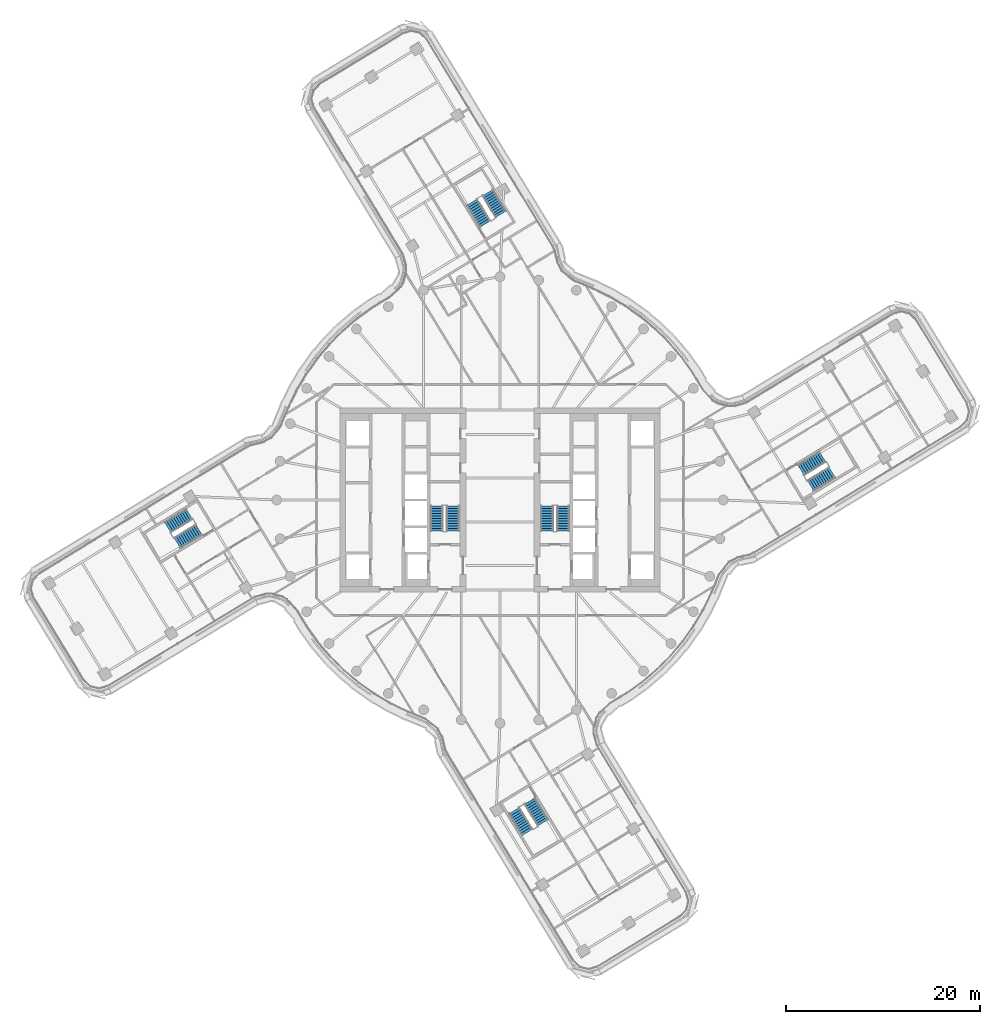
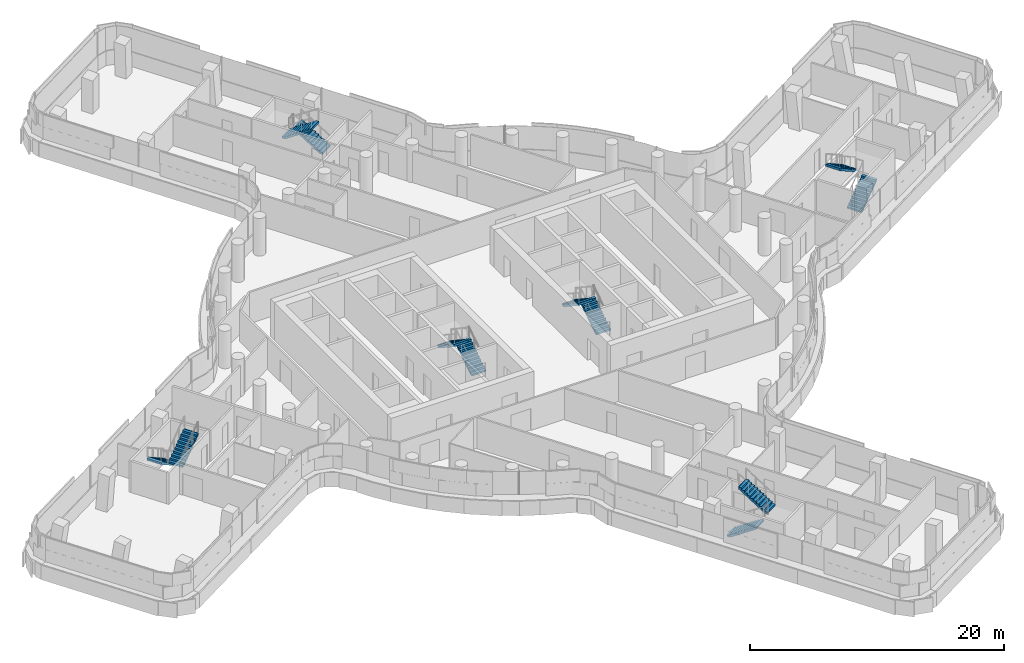
# One storey, part 26 of 35: 12 stair flights, 6 elements without a shape of their own.
"""IFC4 building model written with IfcOpenShell, lengths in metres."""

from ifc_helpers import new_model, si_unit, direction, frame, origin, place, context, subcontext, project, spatial, polyline, outline, extrude, material, type_object, element, aggregate, save


model = new_model("IFC4")

# Units and contexts
model_context = context("Model", 3, precision=1e-05, world=origin(), true_north=direction((0.0, 1.0)))
body_context = subcontext(model_context, "Body", "Model", "MODEL_VIEW")
ifc_project = project(units=[si_unit("LENGTHUNIT", "METRE"), si_unit("AREAUNIT", "SQUARE_METRE"), si_unit("VOLUMEUNIT", "CUBIC_METRE"), si_unit("PLANEANGLEUNIT", "RADIAN"), si_unit("MASSUNIT", "GRAM", prefix="KILO")], contexts=[model_context])

# Site, building, storey
site_placement = place(None, origin())
site = spatial("IfcSite", under=ifc_project, at=site_placement, CompositionType="ELEMENT")
building_placement = place(site_placement, origin())
building = spatial("IfcBuilding", under=site, at=building_placement, Name="Tamarind Cross Interchange Tower", CompositionType="ELEMENT")
storey_placement = place(building_placement, frame((0.0, 0.0, 148.0)))
storey = spatial("IfcBuildingStorey", under=building, at=storey_placement, Name="L36", CompositionType="ELEMENT", Elevation=148.0)

# Stair, stair flights
ifc_material_1 = material(Name="Exit stair")
stair_type = type_object("IfcStairType", Name="Exit stair", PredefinedType="HALF_TURN_STAIR", material=ifc_material_1)
stair_1_placement = place(storey_placement, origin())
stair_1 = element("IfcStair", 1, at=stair_1_placement, inside=storey, type_object=stair_type, Name="L36 exit stair ST1", PredefinedType="HALF_TURN_STAIR")
ifc_material_2 = material(Name="Exit stair flight")
stair_flight_type = type_object("IfcStairFlightType", Name="Exit stair flight", PredefinedType="STRAIGHT", material=ifc_material_2)
stair_flight_1_placement = place(storey_placement, frame((-4.85009765625, -3.199951171875, 0.0), z_axis=(0.0, 0.0, 1.0), x_axis=(0.0, 1.0, 0.0)))
stair_flight_1 = element("IfcStairFlight", 2, at=stair_flight_1_placement, type_object=stair_flight_type, Name="ST1 flight 1", NumberOfRisers=11, NumberOfTreads=10, PredefinedType="STRAIGHT", RiserHeight=0.170454545, TreadLength=0.26, context=body_context, shape_type="SweptSolid", body=[
    extrude(outline(polyline([(0.0, 0.0), (0.0, 0.17041015625), (0.260009765625, 0.17041015625), (0.260009765625, 0.3408203125), (0.52001953125, 0.3408203125), (0.52001953125, 0.511474609375), (0.780029296875, 0.511474609375), (0.780029296875, 0.681884765625), (1.0400390625, 0.681884765625), (1.0400390625, 0.852294921875), (1.300048828125, 0.852294921875), (1.300048828125, 1.022705078125), (1.56005859375, 1.022705078125), (1.56005859375, 1.193115234375), (1.820068359375, 1.193115234375), (1.820068359375, 1.363525390625), (2.080078125, 1.363525390625), (2.080078125, 1.5341796875), (2.340087890625, 1.5341796875), (2.340087890625, 1.70458984375), (2.60009765625, 1.70458984375), (2.60009765625, 1.875), (2.60009765625, 1.525390625), (0.2734375, 0.0), (0.0, 0.0)])), frame((0.0, 0.64990234375, 0.0), z_axis=(0.0, -1.0, 0.0), x_axis=(1.0, 0.0, 0.0)), (0.0, 0.0, 1.0), 1.300048828125),
])
stair_flight_2_placement = place(storey_placement, frame((-6.5, -0.60009765625, 1.875), z_axis=(0.0, 0.0, 1.0), x_axis=(0.0, -1.0, 0.0)))
stair_flight_2 = element("IfcStairFlight", 3, at=stair_flight_2_placement, type_object=stair_flight_type, Name="ST1 flight 2", NumberOfRisers=11, NumberOfTreads=10, PredefinedType="STRAIGHT", RiserHeight=0.170454545, TreadLength=0.26, context=body_context, shape_type="SweptSolid", body=[
    extrude(outline(polyline([(0.0, 0.0), (0.0, 0.17041015625), (0.260009765625, 0.17041015625), (0.260009765625, 0.3408203125), (0.52001953125, 0.3408203125), (0.52001953125, 0.511474609375), (0.780029296875, 0.511474609375), (0.780029296875, 0.681884765625), (1.0400390625, 0.681884765625), (1.0400390625, 0.852294921875), (1.300048828125, 0.852294921875), (1.300048828125, 1.022705078125), (1.56005859375, 1.022705078125), (1.56005859375, 1.193115234375), (1.820068359375, 1.193115234375), (1.820068359375, 1.363525390625), (2.080078125, 1.363525390625), (2.080078125, 1.5341796875), (2.340087890625, 1.5341796875), (2.340087890625, 1.70458984375), (2.60009765625, 1.70458984375), (2.60009765625, 1.7548828125), (2.612060546875, 1.7548828125), (2.612060546875, 1.533203125), (0.2734375, 0.0), (0.0, 0.0)])), frame((0.0, 0.64990234375, 0.0), z_axis=(0.0, -1.0, 0.0), x_axis=(1.0, 0.0, 0.0)), (0.0, 0.0, 1.0), 1.300048828125),
])
aggregate(stair_1, [stair_flight_1, stair_flight_2])

stair_2_placement = place(storey_placement, origin())
stair_2 = element("IfcStair", 4, at=stair_2_placement, inside=storey, type_object=stair_type, Name="L36 exit stair ST2", PredefinedType="HALF_TURN_STAIR")
stair_flight_3_placement = place(storey_placement, frame((6.5, -3.199951171875, 0.0), z_axis=(0.0, 0.0, 1.0), x_axis=(0.0, 1.0, 0.0)))
stair_flight_3 = element("IfcStairFlight", 5, at=stair_flight_3_placement, type_object=stair_flight_type, Name="ST2 flight 1", NumberOfRisers=11, NumberOfTreads=10, PredefinedType="STRAIGHT", RiserHeight=0.170454545, TreadLength=0.26, context=body_context, shape_type="SweptSolid", body=[
    extrude(outline(polyline([(0.0, 0.0), (0.0, 0.17041015625), (0.260009765625, 0.17041015625), (0.260009765625, 0.3408203125), (0.52001953125, 0.3408203125), (0.52001953125, 0.511474609375), (0.780029296875, 0.511474609375), (0.780029296875, 0.681884765625), (1.0400390625, 0.681884765625), (1.0400390625, 0.852294921875), (1.300048828125, 0.852294921875), (1.300048828125, 1.022705078125), (1.56005859375, 1.022705078125), (1.56005859375, 1.193115234375), (1.820068359375, 1.193115234375), (1.820068359375, 1.363525390625), (2.080078125, 1.363525390625), (2.080078125, 1.5341796875), (2.340087890625, 1.5341796875), (2.340087890625, 1.70458984375), (2.60009765625, 1.70458984375), (2.60009765625, 1.875), (2.60009765625, 1.525390625), (0.2734375, 0.0), (0.0, 0.0)])), frame((0.0, 0.64990234375, 0.0), z_axis=(0.0, -1.0, 0.0), x_axis=(1.0, 0.0, 0.0)), (0.0, 0.0, 1.0), 1.300048828125),
])
stair_flight_4_placement = place(storey_placement, frame((4.85009765625, -0.60009765625, 1.875), z_axis=(0.0, 0.0, 1.0), x_axis=(0.0, -1.0, 0.0)))
stair_flight_4 = element("IfcStairFlight", 6, at=stair_flight_4_placement, type_object=stair_flight_type, Name="ST2 flight 2", NumberOfRisers=11, NumberOfTreads=10, PredefinedType="STRAIGHT", RiserHeight=0.170454545, TreadLength=0.26, context=body_context, shape_type="SweptSolid", body=[
    extrude(outline(polyline([(0.0, 0.0), (0.0, 0.17041015625), (0.260009765625, 0.17041015625), (0.260009765625, 0.3408203125), (0.52001953125, 0.3408203125), (0.52001953125, 0.511474609375), (0.780029296875, 0.511474609375), (0.780029296875, 0.681884765625), (1.0400390625, 0.681884765625), (1.0400390625, 0.852294921875), (1.300048828125, 0.852294921875), (1.300048828125, 1.022705078125), (1.56005859375, 1.022705078125), (1.56005859375, 1.193115234375), (1.820068359375, 1.193115234375), (1.820068359375, 1.363525390625), (2.080078125, 1.363525390625), (2.080078125, 1.5341796875), (2.340087890625, 1.5341796875), (2.340087890625, 1.70458984375), (2.60009765625, 1.70458984375), (2.60009765625, 1.7548828125), (2.612060546875, 1.7548828125), (2.612060546875, 1.533203125), (0.2734375, 0.0), (0.0, 0.0)])), frame((0.0, 0.64990234375, 0.0), z_axis=(0.0, -1.0, 0.0), x_axis=(1.0, 0.0, 0.0)), (0.0, 0.0, 1.0), 1.300048828125),
])
aggregate(stair_2, [stair_flight_3, stair_flight_4])

stair_3_placement = place(storey_placement, origin())
stair_3 = element("IfcStair", 7, at=stair_3_placement, inside=storey, type_object=stair_type, Name="L36 exit stair ST3", PredefinedType="HALF_TURN_STAIR")
stair_flight_5_placement = place(storey_placement, frame((31.99755859375, 1.464111328125, 0.0), z_axis=(0.0, 0.0, 1.0), x_axis=(0.854059616181, 0.520175135901, 0.0)))
stair_flight_5 = element("IfcStairFlight", 8, at=stair_flight_5_placement, type_object=stair_flight_type, Name="ST3 flight 1", NumberOfRisers=11, NumberOfTreads=10, PredefinedType="STRAIGHT", RiserHeight=0.170454545, TreadLength=0.26, context=body_context, shape_type="SweptSolid", body=[
    extrude(outline(polyline([(0.0, 0.0), (0.0, 0.17041015625), (0.260009765625, 0.17041015625), (0.260009765625, 0.3408203125), (0.52001953125, 0.3408203125), (0.52001953125, 0.511474609375), (0.780029296875, 0.511474609375), (0.780029296875, 0.681884765625), (1.0400390625, 0.681884765625), (1.0400390625, 0.852294921875), (1.300048828125, 0.852294921875), (1.300048828125, 1.022705078125), (1.56005859375, 1.022705078125), (1.56005859375, 1.193115234375), (1.820068359375, 1.193115234375), (1.820068359375, 1.363525390625), (2.080078125, 1.363525390625), (2.080078125, 1.5341796875), (2.340087890625, 1.5341796875), (2.340087890625, 1.70458984375), (2.60009765625, 1.70458984375), (2.60009765625, 1.875), (2.60009765625, 1.525390625), (0.2734375, 0.0), (0.0, 0.0)])), frame((0.0, 0.64990234375, 0.0), z_axis=(0.0, -1.0, 0.0), x_axis=(1.0, 0.0, 0.0)), (0.0, 0.0, 1.0), 1.300048828125),
])
stair_flight_6_placement = place(storey_placement, frame((33.229736328125, 4.439208984375, 1.875), z_axis=(0.0, 0.0, 1.0), x_axis=(-0.854059616181, -0.520175135901, 0.0)))
stair_flight_6 = element("IfcStairFlight", 9, at=stair_flight_6_placement, type_object=stair_flight_type, Name="ST3 flight 2", NumberOfRisers=11, NumberOfTreads=10, PredefinedType="STRAIGHT", RiserHeight=0.170454545, TreadLength=0.26, context=body_context, shape_type="SweptSolid", body=[
    extrude(outline(polyline([(0.0, 0.0), (0.0, 0.17041015625), (0.260009765625, 0.17041015625), (0.260009765625, 0.3408203125), (0.52001953125, 0.3408203125), (0.52001953125, 0.511474609375), (0.780029296875, 0.511474609375), (0.780029296875, 0.681884765625), (1.0400390625, 0.681884765625), (1.0400390625, 0.852294921875), (1.300048828125, 0.852294921875), (1.300048828125, 1.022705078125), (1.56005859375, 1.022705078125), (1.56005859375, 1.193115234375), (1.820068359375, 1.193115234375), (1.820068359375, 1.363525390625), (2.080078125, 1.363525390625), (2.080078125, 1.5341796875), (2.340087890625, 1.5341796875), (2.340087890625, 1.70458984375), (2.60009765625, 1.70458984375), (2.60009765625, 1.7548828125), (2.612060546875, 1.7548828125), (2.612060546875, 1.533203125), (0.2734375, 0.0), (0.0, 0.0)])), frame((0.0, 0.64990234375, 0.0), z_axis=(0.0, -1.0, 0.0), x_axis=(1.0, 0.0, 0.0)), (0.0, 0.0, 1.0), 1.300048828125),
])
aggregate(stair_3, [stair_flight_5, stair_flight_6])

stair_4_placement = place(storey_placement, origin())
stair_4 = element("IfcStair", 10, at=stair_4_placement, inside=storey, type_object=stair_type, Name="L36 exit stair ST4", PredefinedType="HALF_TURN_STAIR")
stair_flight_7_placement = place(storey_placement, frame((0.096435546875, 29.435302734375, 0.0), z_axis=(0.0, 0.0, 1.0), x_axis=(-0.520175135901, 0.854059616181, 0.0)))
stair_flight_7 = element("IfcStairFlight", 11, at=stair_flight_7_placement, type_object=stair_flight_type, Name="ST4 flight 1", NumberOfRisers=11, NumberOfTreads=10, PredefinedType="STRAIGHT", RiserHeight=0.170454545, TreadLength=0.26, context=body_context, shape_type="SweptSolid", body=[
    extrude(outline(polyline([(0.0, 0.0), (0.0, 0.17041015625), (0.260009765625, 0.17041015625), (0.260009765625, 0.3408203125), (0.52001953125, 0.3408203125), (0.52001953125, 0.511474609375), (0.780029296875, 0.511474609375), (0.780029296875, 0.681884765625), (1.0400390625, 0.681884765625), (1.0400390625, 0.852294921875), (1.300048828125, 0.852294921875), (1.300048828125, 1.022705078125), (1.56005859375, 1.022705078125), (1.56005859375, 1.193115234375), (1.820068359375, 1.193115234375), (1.820068359375, 1.363525390625), (2.080078125, 1.363525390625), (2.080078125, 1.5341796875), (2.340087890625, 1.5341796875), (2.340087890625, 1.70458984375), (2.60009765625, 1.70458984375), (2.60009765625, 1.875), (2.60009765625, 1.525390625), (0.2734375, 0.0), (0.0, 0.0)])), frame((0.0, 0.64990234375, 0.0), z_axis=(0.0, -1.0, 0.0), x_axis=(1.0, 0.0, 0.0)), (0.0, 0.0, 1.0), 1.300048828125),
])
stair_flight_8_placement = place(storey_placement, frame((-2.878662109375, 30.66748046875, 1.875), z_axis=(0.0, 0.0, 1.0), x_axis=(0.520175135901, -0.854059616181, 0.0)))
stair_flight_8 = element("IfcStairFlight", 12, at=stair_flight_8_placement, type_object=stair_flight_type, Name="ST4 flight 2", NumberOfRisers=11, NumberOfTreads=10, PredefinedType="STRAIGHT", RiserHeight=0.170454545, TreadLength=0.26, context=body_context, shape_type="SweptSolid", body=[
    extrude(outline(polyline([(0.0, 0.0), (0.0, 0.17041015625), (0.260009765625, 0.17041015625), (0.260009765625, 0.3408203125), (0.52001953125, 0.3408203125), (0.52001953125, 0.511474609375), (0.780029296875, 0.511474609375), (0.780029296875, 0.681884765625), (1.0400390625, 0.681884765625), (1.0400390625, 0.852294921875), (1.300048828125, 0.852294921875), (1.300048828125, 1.022705078125), (1.56005859375, 1.022705078125), (1.56005859375, 1.193115234375), (1.820068359375, 1.193115234375), (1.820068359375, 1.363525390625), (2.080078125, 1.363525390625), (2.080078125, 1.5341796875), (2.340087890625, 1.5341796875), (2.340087890625, 1.70458984375), (2.60009765625, 1.70458984375), (2.60009765625, 1.7548828125), (2.612060546875, 1.7548828125), (2.612060546875, 1.533203125), (0.2734375, 0.0), (0.0, 0.0)])), frame((0.0, 0.64990234375, 0.0), z_axis=(0.0, -1.0, 0.0), x_axis=(1.0, 0.0, 0.0)), (0.0, 0.0, 1.0), 1.300048828125),
])
aggregate(stair_4, [stair_flight_7, stair_flight_8])

stair_5_placement = place(storey_placement, origin())
stair_5 = element("IfcStair", 13, at=stair_5_placement, inside=storey, type_object=stair_type, Name="L36 exit stair ST5", PredefinedType="HALF_TURN_STAIR")
stair_flight_9_placement = place(storey_placement, frame((-31.99755859375, -1.464111328125, 0.0), z_axis=(0.0, 0.0, 1.0), x_axis=(-0.854059616181, -0.520175135901, 0.0)))
stair_flight_9 = element("IfcStairFlight", 14, at=stair_flight_9_placement, type_object=stair_flight_type, Name="ST5 flight 1", NumberOfRisers=11, NumberOfTreads=10, PredefinedType="STRAIGHT", RiserHeight=0.170454545, TreadLength=0.26, context=body_context, shape_type="SweptSolid", body=[
    extrude(outline(polyline([(0.0, 0.0), (0.0, 0.17041015625), (0.260009765625, 0.17041015625), (0.260009765625, 0.3408203125), (0.52001953125, 0.3408203125), (0.52001953125, 0.511474609375), (0.780029296875, 0.511474609375), (0.780029296875, 0.681884765625), (1.0400390625, 0.681884765625), (1.0400390625, 0.852294921875), (1.300048828125, 0.852294921875), (1.300048828125, 1.022705078125), (1.56005859375, 1.022705078125), (1.56005859375, 1.193115234375), (1.820068359375, 1.193115234375), (1.820068359375, 1.363525390625), (2.080078125, 1.363525390625), (2.080078125, 1.5341796875), (2.340087890625, 1.5341796875), (2.340087890625, 1.70458984375), (2.60009765625, 1.70458984375), (2.60009765625, 1.875), (2.60009765625, 1.525390625), (0.2734375, 0.0), (0.0, 0.0)])), frame((0.0, 0.64990234375, 0.0), z_axis=(0.0, -1.0, 0.0), x_axis=(1.0, 0.0, 0.0)), (0.0, 0.0, 1.0), 1.300048828125),
])
stair_flight_10_placement = place(storey_placement, frame((-33.229736328125, -4.439208984375, 1.875), z_axis=(0.0, 0.0, 1.0), x_axis=(0.854059616181, 0.520175135901, 0.0)))
stair_flight_10 = element("IfcStairFlight", 15, at=stair_flight_10_placement, type_object=stair_flight_type, Name="ST5 flight 2", NumberOfRisers=11, NumberOfTreads=10, PredefinedType="STRAIGHT", RiserHeight=0.170454545, TreadLength=0.26, context=body_context, shape_type="SweptSolid", body=[
    extrude(outline(polyline([(0.0, 0.0), (0.0, 0.17041015625), (0.260009765625, 0.17041015625), (0.260009765625, 0.3408203125), (0.52001953125, 0.3408203125), (0.52001953125, 0.511474609375), (0.780029296875, 0.511474609375), (0.780029296875, 0.681884765625), (1.0400390625, 0.681884765625), (1.0400390625, 0.852294921875), (1.300048828125, 0.852294921875), (1.300048828125, 1.022705078125), (1.56005859375, 1.022705078125), (1.56005859375, 1.193115234375), (1.820068359375, 1.193115234375), (1.820068359375, 1.363525390625), (2.080078125, 1.363525390625), (2.080078125, 1.5341796875), (2.340087890625, 1.5341796875), (2.340087890625, 1.70458984375), (2.60009765625, 1.70458984375), (2.60009765625, 1.7548828125), (2.612060546875, 1.7548828125), (2.612060546875, 1.533203125), (0.2734375, 0.0), (0.0, 0.0)])), frame((0.0, 0.64990234375, 0.0), z_axis=(0.0, -1.0, 0.0), x_axis=(1.0, 0.0, 0.0)), (0.0, 0.0, 1.0), 1.300048828125),
])
aggregate(stair_5, [stair_flight_9, stair_flight_10])

stair_6_placement = place(storey_placement, origin())
stair_6 = element("IfcStair", 16, at=stair_6_placement, inside=storey, type_object=stair_type, Name="L36 exit stair ST6", PredefinedType="HALF_TURN_STAIR")
stair_flight_11_placement = place(storey_placement, frame((1.464111328125, -31.99755859375, 0.0), z_axis=(0.0, 0.0, 1.0), x_axis=(0.520175135901, -0.854059616181, 0.0)))
stair_flight_11 = element("IfcStairFlight", 17, at=stair_flight_11_placement, type_object=stair_flight_type, Name="ST6 flight 1", NumberOfRisers=11, NumberOfTreads=10, PredefinedType="STRAIGHT", RiserHeight=0.170454545, TreadLength=0.26, context=body_context, shape_type="SweptSolid", body=[
    extrude(outline(polyline([(0.0, 0.0), (0.0, 0.17041015625), (0.260009765625, 0.17041015625), (0.260009765625, 0.3408203125), (0.52001953125, 0.3408203125), (0.52001953125, 0.511474609375), (0.780029296875, 0.511474609375), (0.780029296875, 0.681884765625), (1.0400390625, 0.681884765625), (1.0400390625, 0.852294921875), (1.300048828125, 0.852294921875), (1.300048828125, 1.022705078125), (1.56005859375, 1.022705078125), (1.56005859375, 1.193115234375), (1.820068359375, 1.193115234375), (1.820068359375, 1.363525390625), (2.080078125, 1.363525390625), (2.080078125, 1.5341796875), (2.340087890625, 1.5341796875), (2.340087890625, 1.70458984375), (2.60009765625, 1.70458984375), (2.60009765625, 1.875), (2.60009765625, 1.525390625), (0.2734375, 0.0), (0.0, 0.0)])), frame((0.0, 0.64990234375, 0.0), z_axis=(0.0, -1.0, 0.0), x_axis=(1.0, 0.0, 0.0)), (0.0, 0.0, 1.0), 1.300048828125),
])
stair_flight_12_placement = place(storey_placement, frame((4.439208984375, -33.229736328125, 1.875), z_axis=(0.0, 0.0, 1.0), x_axis=(-0.520175135901, 0.854059616181, 0.0)))
stair_flight_12 = element("IfcStairFlight", 18, at=stair_flight_12_placement, type_object=stair_flight_type, Name="ST6 flight 2", NumberOfRisers=11, NumberOfTreads=10, PredefinedType="STRAIGHT", RiserHeight=0.170454545, TreadLength=0.26, context=body_context, shape_type="SweptSolid", body=[
    extrude(outline(polyline([(0.0, 0.0), (0.0, 0.17041015625), (0.260009765625, 0.17041015625), (0.260009765625, 0.3408203125), (0.52001953125, 0.3408203125), (0.52001953125, 0.511474609375), (0.780029296875, 0.511474609375), (0.780029296875, 0.681884765625), (1.0400390625, 0.681884765625), (1.0400390625, 0.852294921875), (1.300048828125, 0.852294921875), (1.300048828125, 1.022705078125), (1.56005859375, 1.022705078125), (1.56005859375, 1.193115234375), (1.820068359375, 1.193115234375), (1.820068359375, 1.363525390625), (2.080078125, 1.363525390625), (2.080078125, 1.5341796875), (2.340087890625, 1.5341796875), (2.340087890625, 1.70458984375), (2.60009765625, 1.70458984375), (2.60009765625, 1.7548828125), (2.612060546875, 1.7548828125), (2.612060546875, 1.533203125), (0.2734375, 0.0), (0.0, 0.0)])), frame((0.0, 0.64990234375, 0.0), z_axis=(0.0, -1.0, 0.0), x_axis=(1.0, 0.0, 0.0)), (0.0, 0.0, 1.0), 1.300048828125),
])
aggregate(stair_6, [stair_flight_11, stair_flight_12])

save(model, "model.ifc")
